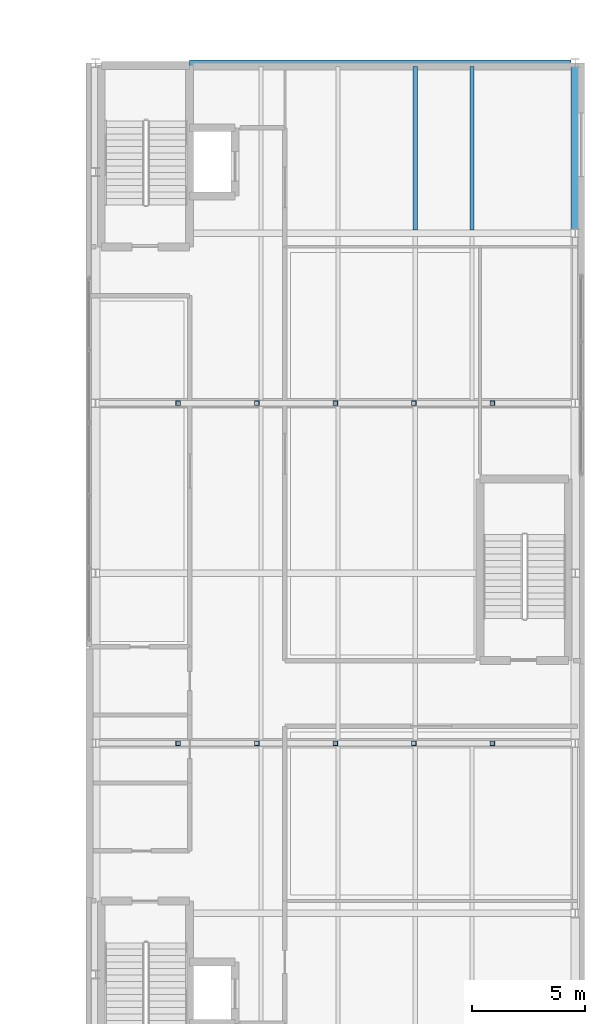
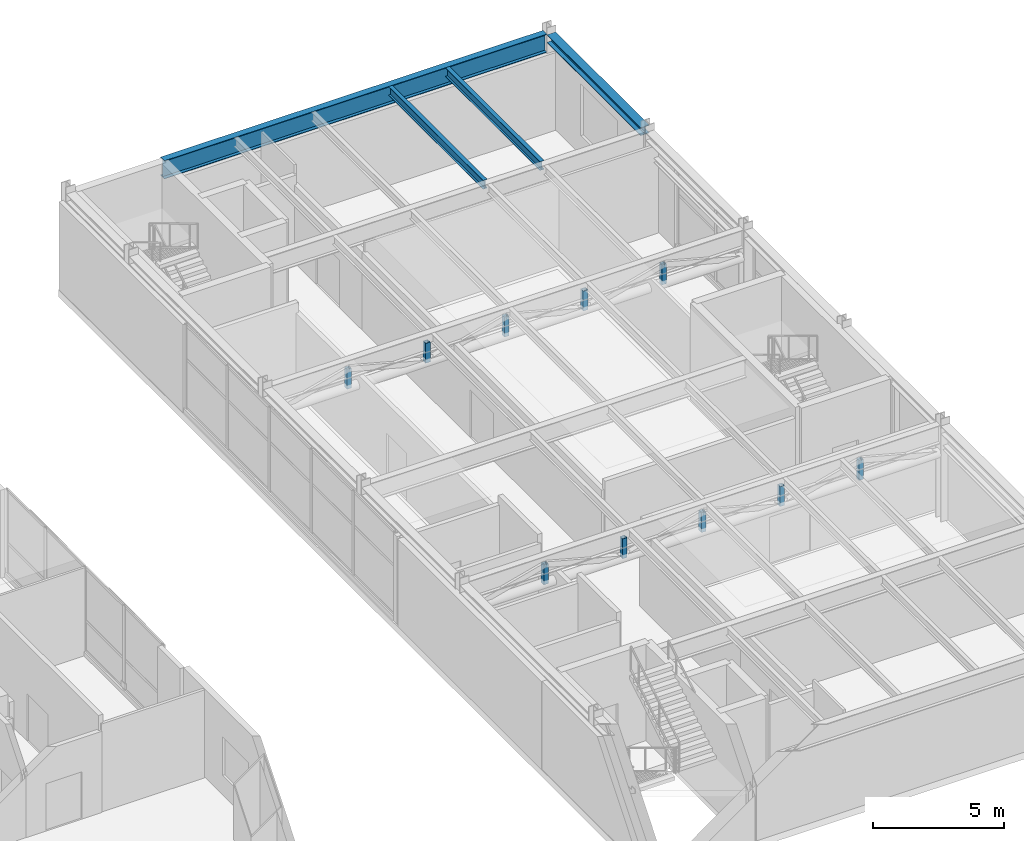
# One storey, part 18 of 29: 10 members, 4 beams.
"""IFC4 building model written with IfcOpenShell, lengths in metres."""

from ifc_helpers import new_model, si_unit, direction, frame, origin, origin_2d, place, context, subcontext, project, spatial, hollow_rectangle, i_section, extrude, material, material_profile, profile_set, type_object, element, save


model = new_model("IFC4")

# Units and contexts
model_context = context("Model", 3, precision=1e-05, world=origin(), true_north=direction((0.0, 1.0)))
body_context = subcontext(model_context, "Body", "Model", "MODEL_VIEW")
ifc_project = project(units=[si_unit("LENGTHUNIT", "METRE"), si_unit("AREAUNIT", "SQUARE_METRE"), si_unit("VOLUMEUNIT", "CUBIC_METRE"), si_unit("PLANEANGLEUNIT", "RADIAN"), si_unit("MASSUNIT", "GRAM", prefix="KILO")], contexts=[model_context])

# Site, building, storey
site_placement = place(None, origin())
site = spatial("IfcSite", under=ifc_project, at=site_placement, CompositionType="ELEMENT")
building_placement = place(site_placement, origin())
building = spatial("IfcBuilding", under=site, at=building_placement, Name="Mersakhor Tower and Convention Hall", CompositionType="ELEMENT")
storey_placement = place(building_placement, frame((0.0, 0.0, 9.60009765625)))
storey = spatial("IfcBuildingStorey", under=building, at=storey_placement, Name="L02", CompositionType="ELEMENT", Elevation=9.60009765625)

# Beams
ifc_material_1 = material(Name="Steel S355", Category="steel")
ifc_material_profile_1 = material_profile(ifc_material_1, i_section(OverallWidth=0.1787109375, OverallDepth=0.409423828125, WebThickness=0.0087890625, FlangeThickness=0.014404296875, at=origin_2d()), Name="UB 406x178x67")
ifc_profile_set_1 = profile_set([ifc_material_profile_1], Name="Steel S355")
beam_type_1 = type_object("IfcBeamType", Name="BM-JST-406", PredefinedType="JOIST", material=ifc_profile_set_1)
for number, where, z_axis, x_axis, name in (
    (1, (69.60009765625, 40.89697265625, 4.275146484375), (0.0, 1.0, 0.0), (-1.0, 0.0, 0.0), "Convention L02 Composite Floor Joist CJ-6-69"),
    (2, (72.10009765625, 40.89697265625, 4.275146484375), (0.0, 1.0, 0.0), (-1.0, 0.0, 0.0), "Convention L02 Composite Floor Joist CJ-6-72"),
):
    element("IfcBeam", number, at=place(storey_placement, frame(where, z_axis=z_axis, x_axis=x_axis)), inside=storey, type_object=beam_type_1, Name=name, PredefinedType="JOIST", context=body_context, shape_type="SweptSolid", body=[
        extrude(i_section(OverallWidth=0.1787109375, OverallDepth=0.409423828125, WebThickness=0.0087890625, FlangeThickness=0.014404296875, at=origin_2d()), origin(), (0.0, 0.0, 1.0), 7.2060546875),
    ])
ifc_material_2 = material(Name="Steel S355", Category="steel")
ifc_material_profile_2 = material_profile(ifc_material_2, i_section(OverallWidth=0.293701171875, OverallDepth=0.850830078125, WebThickness=0.01611328125, FlangeThickness=0.02685546875, at=origin_2d()), Name="UB 838x292x226")
ifc_profile_set_2 = profile_set([ifc_material_profile_2], Name="Steel S355")
beam_type_2 = type_object("IfcBeamType", Name="BM-PR-838", PredefinedType="BEAM", material=ifc_profile_set_2)
beam_1_placement = place(storey_placement, frame((59.64990234375, 48.25, 4.054443359375), z_axis=(1.0, 0.0, 0.0), x_axis=(0.0, 1.0, 0.0)))
element("IfcBeam", 3, at=beam_1_placement, inside=storey, type_object=beam_type_2, Name="Convention L02 Clear-Span Girder CG-7", PredefinedType="BEAM", context=body_context, shape_type="SweptSolid", body=[
    extrude(i_section(OverallWidth=0.293701171875, OverallDepth=0.850830078125, WebThickness=0.01611328125, FlangeThickness=0.02685546875, at=origin_2d()), origin(), (0.0, 0.0, 1.0), 16.820068359375),
])
ifc_material_3 = material(Name="Steel S355", Category="steel")
ifc_material_profile_3 = material_profile(ifc_material_3, i_section(OverallWidth=0.374755859375, OverallDepth=0.37451171875, WebThickness=0.0166015625, FlangeThickness=0.027099609375, at=origin_2d()), Name="UC 356x368x202")
ifc_profile_set_3 = profile_set([ifc_material_profile_3], Name="Steel S355")
beam_type_3 = type_object("IfcBeamType", Name="BM-SPD-UC356", PredefinedType="SPANDREL", material=ifc_profile_set_3)
beam_2_placement = place(storey_placement, frame((76.64990234375, 40.929931640625, 4.29296875), z_axis=(0.0, 1.0, 0.0), x_axis=(-1.0, 0.0, 0.0)))
element("IfcBeam", 4, at=beam_2_placement, inside=storey, type_object=beam_type_3, Name="Convention L02 Edge Spandrel E6", PredefinedType="SPANDREL", context=body_context, shape_type="SweptSolid", body=[
    extrude(i_section(OverallWidth=0.374755859375, OverallDepth=0.37451171875, WebThickness=0.0166015625, FlangeThickness=0.027099609375, at=origin_2d()), origin(), (0.0, 0.0, 1.0), 7.14013671875),
])

# Members
ifc_material_4 = material(Name="Steel S355", Category="steel")
ifc_material_profile_4 = material_profile(ifc_material_4, hollow_rectangle(XDim=0.199951171875, YDim=0.199951171875, WallThickness=0.012451171875, at=origin_2d()), Name="SHS 200x200x12.5")
ifc_profile_set_4 = profile_set([ifc_material_profile_4], Name="Steel S355")
member_type = type_object("IfcMemberType", Name="MB-STR-SHS200", PredefinedType="STRUT", material=ifc_profile_set_4)
for number, where, z_axis, x_axis, name in (
    (5, (59.14501953125, 18.25, 3.1298828125), (0.0, 0.0, 1.0), (1.0, 0.0, 0.0), "Convention Truss Post TP-3-1"),
    (6, (62.610107421875, 18.25, 3.1298828125), (0.0, 0.0, 1.0), (1.0, 0.0, 0.0), "Convention Truss Post TP-3-2"),
    (7, (66.074951171875, 18.25, 3.1298828125), (0.0, 0.0, 1.0), (1.0, 0.0, 0.0), "Convention Truss Post TP-3-3"),
    (8, (69.5400390625, 18.25, 3.1298828125), (0.0, 0.0, 1.0), (1.0, 0.0, 0.0), "Convention Truss Post TP-3-4"),
    (9, (73.0048828125, 18.25, 3.1298828125), (0.0, 0.0, 1.0), (1.0, 0.0, 0.0), "Convention Truss Post TP-3-5"),
    (10, (59.14501953125, 33.25, 3.1298828125), (0.0, 0.0, 1.0), (1.0, 0.0, 0.0), "Convention Truss Post TP-5-1"),
    (11, (62.610107421875, 33.25, 3.1298828125), (0.0, 0.0, 1.0), (1.0, 0.0, 0.0), "Convention Truss Post TP-5-2"),
    (12, (66.074951171875, 33.25, 3.1298828125), (0.0, 0.0, 1.0), (1.0, 0.0, 0.0), "Convention Truss Post TP-5-3"),
    (13, (69.5400390625, 33.25, 3.1298828125), (0.0, 0.0, 1.0), (1.0, 0.0, 0.0), "Convention Truss Post TP-5-4"),
    (14, (73.0048828125, 33.25, 3.1298828125), (0.0, 0.0, 1.0), (1.0, 0.0, 0.0), "Convention Truss Post TP-5-5"),
):
    element("IfcMember", number, at=place(storey_placement, frame(where, z_axis=z_axis, x_axis=x_axis)), inside=storey, type_object=member_type, Name=name, PredefinedType="STRUT", context=body_context, shape_type="SweptSolid", body=[
        extrude(hollow_rectangle(XDim=0.199951171875, YDim=0.199951171875, WallThickness=0.012451171875, at=origin_2d()), origin(), (0.0, 0.0, 1.0), 0.924560546875),
    ])

save(model, "model.ifc")
